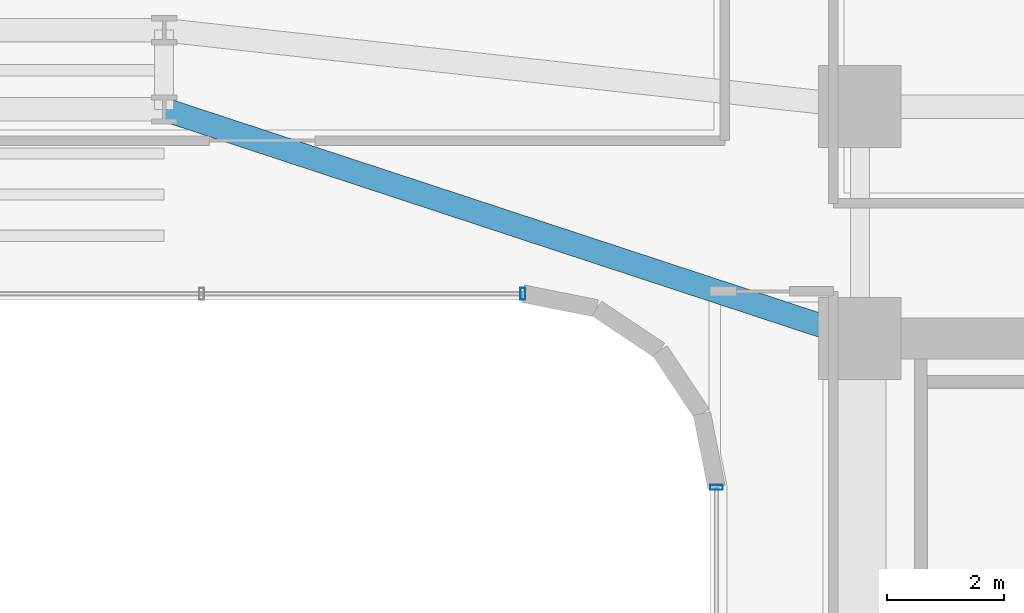
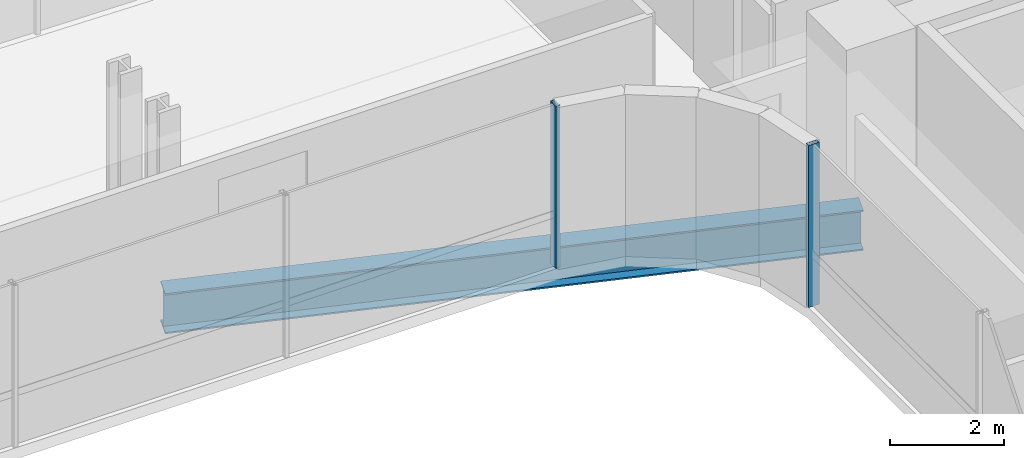
# One storey, part 16 of 41: 2 members, 1 beam, 2 elements without a shape of their own.
"""IFC4 building model written with IfcOpenShell, lengths in metres."""

import ifcopenshell
import ifcopenshell.guid

model = None  # the IFC model being written
_history = None  # IfcOwnerHistory: only IFC2X3 demands one
_inside = {}  # id of a spatial element -> (the spatial element, [elements in it])
_under = {}  # id of a project, library or spatial element -> (it, [spatial elements below it])
_declared = {}  # id of a project -> (the project, [libraries it declares])
_typed = {}  # id of a type object -> (the type object, [elements of that type])
_made_of = {}  # id of a material, layer set ... -> (it, [elements and type objects made of it])


def new_model(schema):
    """Start an empty IFC model of exactly this schema.

    Asked for "IFC4X3", IfcOpenShell would pick the latest addendum, in which some entities
    have other attributes; the version numbers below select the first issue.
    IFC2X3 requires an IfcOwnerHistory on every rooted entity: one is made here for all.
    """
    global model, _history
    if schema == "IFC4X3":
        model = ifcopenshell.file(schema_version=(4, 3, 0, 0))
    else:
        model = ifcopenshell.file(schema=schema)
    _inside.clear()
    _under.clear()
    _declared.clear()
    _typed.clear()
    _made_of.clear()
    _history = None
    if model.schema == "IFC2X3":
        org = make("IfcOrganization", Name="unknown")
        user = make(
            "IfcPersonAndOrganization",
            ThePerson=make("IfcPerson", FamilyName="unknown"),
            TheOrganization=org,
        )
        app = make(
            "IfcApplication",
            ApplicationDeveloper=org,
            Version="unknown",
            ApplicationFullName="unknown",
            ApplicationIdentifier="unknown",
        )
        _history = make(
            "IfcOwnerHistory",
            OwningUser=user,
            OwningApplication=app,
            ChangeAction="ADDED",
            CreationDate=0,
        )
    return model


def make(cls, **values):
    """One entity of the class cls with the attributes given. An attribute that is None is left unset."""
    return model.create_entity(
        cls, **{name: value for name, value in values.items() if value is not None}
    )


def rooted(cls, **values):
    """An entity with a GlobalId (a new one), such as an element, a storey or a relation."""
    return make(cls, GlobalId=ifcopenshell.guid.new(), OwnerHistory=_history, **values)


def si_unit(unit_type, name, prefix=None):
    """IfcSIUnit, for example si_unit("LENGTHUNIT", "METRE", prefix="MILLI")."""
    return make("IfcSIUnit", UnitType=unit_type, Prefix=prefix, Name=name)


def assignment(units):
    """IfcUnitAssignment: the units of a project."""
    return None if units is None else make("IfcUnitAssignment", Units=units)


def point(xyz):
    """IfcCartesianPoint."""
    return None if xyz is None else make("IfcCartesianPoint", Coordinates=xyz)


def direction(xyz):
    """IfcDirection."""
    return None if xyz is None else make("IfcDirection", DirectionRatios=xyz)


def frame(location, z_axis=None, x_axis=None):
    """IfcAxis2Placement3D, a coordinate frame: its origin and axes. An axis left out is left unset."""
    return make(
        "IfcAxis2Placement3D",
        Location=point(location),
        Axis=direction(z_axis),
        RefDirection=direction(x_axis),
    )


def frame_2d(location, x_axis=None):
    """IfcAxis2Placement2D, a coordinate frame in the plane: its origin and x axis."""
    return make(
        "IfcAxis2Placement2D", Location=point(location), RefDirection=direction(x_axis)
    )


def origin():
    """The frame at (0, 0, 0) with its axes left unset."""
    return frame((0.0, 0.0, 0.0))


def origin_2d():
    """The frame at (0, 0) in the plane with its x axis left unset."""
    return frame_2d((0.0, 0.0))


def place(relative_to, where):
    """IfcLocalPlacement: puts the frame where relative to a parent placement (None: the world)."""
    return make(
        "IfcLocalPlacement", PlacementRelTo=relative_to, RelativePlacement=where
    )


def context(
    kind, dimensions, precision=None, world=None, true_north=None, identifier=None
):
    """IfcGeometricRepresentationContext, for example the 3D "Model" context."""
    return make(
        "IfcGeometricRepresentationContext",
        ContextIdentifier=identifier,
        ContextType=kind,
        CoordinateSpaceDimension=dimensions,
        Precision=precision,
        WorldCoordinateSystem=world,
        TrueNorth=true_north,
    )


def subcontext(parent, identifier, kind, view, scale=None):
    """IfcGeometricRepresentationSubContext, for example "Body" below "Model"."""
    return make(
        "IfcGeometricRepresentationSubContext",
        ContextIdentifier=identifier,
        ContextType=kind,
        ParentContext=parent,
        TargetScale=scale,
        TargetView=view,
    )


def project(units=None, contexts=None):
    """IfcProject with its units and contexts."""
    return rooted(
        "IfcProject",
        Name="project",
        RepresentationContexts=contexts,
        UnitsInContext=assignment(units),
    )


def spatial(cls, under=None, at=None, **own):
    """A site, building, storey or space (cls), placed at a placement, below another one or the project."""
    s = rooted(cls, ObjectPlacement=at, **own)
    if under is not None:
        _under.setdefault(under.id(), (under, []))[1].append(s)
    return s


def profile(cls, at=None, kind="AREA", **sizes):
    """A parametric profile (cls). Its sizes go by their IFC names, for example OverallWidth=200.0."""
    return make(cls, ProfileType=kind, Position=at, **sizes)


def hollow_rectangle(**sizes):
    """IfcRectangleHollowProfileDef."""
    return profile("IfcRectangleHollowProfileDef", **sizes)


def i_section(**sizes):
    """IfcIShapeProfileDef."""
    return profile("IfcIShapeProfileDef", **sizes)


def extrude(swept, where, along, depth):
    """IfcExtrudedAreaSolid: the profile swept, set in the frame where, extruded along a direction by depth."""
    return make(
        "IfcExtrudedAreaSolid",
        SweptArea=swept,
        Position=where,
        ExtrudedDirection=direction(along),
        Depth=depth,
    )


def shape(context_of_items, identifier, shape_type, items):
    """IfcShapeRepresentation: the items that make up one representation, for example the "Body"."""
    return make(
        "IfcShapeRepresentation",
        ContextOfItems=context_of_items,
        RepresentationIdentifier=identifier,
        RepresentationType=shape_type,
        Items=items,
    )


def source(mapping_origin, context_of_items, identifier, shape_type, items):
    """IfcRepresentationMap: a shape defined once, which mapped items show again and again."""
    return make(
        "IfcRepresentationMap",
        MappingOrigin=mapping_origin,
        MappedRepresentation=shape(context_of_items, identifier, shape_type, items),
    )


def transform(
    local_origin,
    x_axis=None,
    y_axis=None,
    z_axis=None,
    scale=None,
    scale2=None,
    scale3=None,
    uniform=True,
):
    """IfcCartesianTransformationOperator3D, or its non-uniform kind. x_axis, y_axis, z_axis: its Axis1, 2, 3."""
    if uniform:
        return make(
            "IfcCartesianTransformationOperator3D",
            Axis1=direction(x_axis),
            Axis2=direction(y_axis),
            LocalOrigin=point(local_origin),
            Scale=scale,
            Axis3=direction(z_axis),
        )
    return make(
        "IfcCartesianTransformationOperator3DnonUniform",
        Axis1=direction(x_axis),
        Axis2=direction(y_axis),
        LocalOrigin=point(local_origin),
        Scale=scale,
        Axis3=direction(z_axis),
        Scale2=scale2,
        Scale3=scale3,
    )


def mapped(mapping_source, mapping_target):
    """IfcMappedItem: shows the shape of a source again, moved by a transform."""
    return make(
        "IfcMappedItem", MappingSource=mapping_source, MappingTarget=mapping_target
    )


def material(Name=None, Category=None):
    """IfcMaterial."""
    return make("IfcMaterial", Name=Name, Category=Category)


def material_profile(
    of_material, cross_section, Name=None, Category=None, Priority=None
):
    """IfcMaterialProfile: a cross section and its material."""
    return make(
        "IfcMaterialProfile",
        Name=Name,
        Material=of_material,
        Profile=cross_section,
        Priority=Priority,
        Category=Category,
    )


def profile_set(profiles, Name=None, composite=None):
    """IfcMaterialProfileSet."""
    return make(
        "IfcMaterialProfileSet",
        Name=Name,
        MaterialProfiles=profiles,
        CompositeProfile=composite,
    )


def made_of(thing, what):
    """Note that an element or type object is made of a material, layer set ...; save() writes the relation."""
    if what is not None:
        _made_of.setdefault(what.id(), (what, []))[1].append(thing)
    return thing


def type_object(cls, material=None, **own):
    """A type object (cls), such as IfcWallType, which elements share."""
    return made_of(rooted(cls, **own), material)


def element(
    cls,
    number,
    at=None,
    inside=None,
    cuts=None,
    type_object=None,
    material=None,
    context=None,
    identifier="Body",
    shape_type=None,
    held_by="IfcProductDefinitionShape",
    body=None,
    shapes=None,
    **own,
):
    """One element of the class cls, such as IfcWall. Its Tag is "e" and its number.

    at: its placement. inside: the storey or other place that contains it. cuts: it is an
    opening in that element (IfcRelVoidsElement). A single representation is given by context,
    identifier, shape_type and body (its items); several are given by shapes. held_by: the class
    of the entity that holds the representations. save() writes the other relations.
    """
    e = rooted(cls, Tag="e%d" % number, ObjectPlacement=at, **own)
    if body is not None:
        shapes = [shape(context, identifier, shape_type, body)]
    if shapes is not None:
        e.Representation = make(held_by, Representations=shapes)
    if inside is not None:
        _inside.setdefault(inside.id(), (inside, []))[1].append(e)
    if cuts is not None:
        rooted(
            "IfcRelVoidsElement", RelatingBuildingElement=cuts, RelatedOpeningElement=e
        )
    if type_object is not None:
        _typed.setdefault(type_object.id(), (type_object, []))[1].append(e)
    return made_of(e, material)


def aggregate(whole, parts):
    """IfcRelAggregates: a whole, such as a stair, and the parts it consists of."""
    return rooted("IfcRelAggregates", RelatingObject=whole, RelatedObjects=parts)


def save(model, path):
    """Write the relations noted so far, then the file.

    IfcRelAggregates (storeys below a building ...), IfcRelContainedInSpatialStructure (elements
    in a storey), IfcRelDefinesByType, IfcRelAssociatesMaterial and IfcRelDeclares: one each for
    every whole, place, type object, material and project.
    """
    for whole, parts in _under.values():
        aggregate(whole, parts)
    for where, things in _inside.values():
        rooted(
            "IfcRelContainedInSpatialStructure",
            RelatedElements=things,
            RelatingStructure=where,
        )
    for kind, things in _typed.values():
        rooted("IfcRelDefinesByType", RelatedObjects=things, RelatingType=kind)
    for what, things in _made_of.values():
        rooted("IfcRelAssociatesMaterial", RelatedObjects=things, RelatingMaterial=what)
    for by, libraries in _declared.values():
        rooted("IfcRelDeclares", RelatingContext=by, RelatedDefinitions=libraries)
    model.write(path)


model = new_model("IFC4")

# Units and contexts
model_context = context("Model", 3, precision=1e-05, world=origin(), true_north=direction((0.0, 1.0)))
body_context = subcontext(model_context, "Body", "Model", "MODEL_VIEW")
ifc_project = project(units=[si_unit("LENGTHUNIT", "METRE"), si_unit("AREAUNIT", "SQUARE_METRE"), si_unit("VOLUMEUNIT", "CUBIC_METRE"), si_unit("PLANEANGLEUNIT", "RADIAN"), si_unit("MASSUNIT", "GRAM", prefix="KILO")], contexts=[model_context])

# Site, building, storey
site_placement = place(None, origin())
site = spatial("IfcSite", under=ifc_project, at=site_placement, CompositionType="ELEMENT")
building_placement = place(site_placement, origin())
building = spatial("IfcBuilding", under=site, at=building_placement, Name="Valdorenza Pilgrim Sanctuary Tower", CompositionType="ELEMENT")
storey_placement = place(building_placement, frame((0.0, 0.0, 63.0)))
storey = spatial("IfcBuildingStorey", under=building, at=storey_placement, Name="L15", CompositionType="ELEMENT", Elevation=63.0)

# Beam
ifc_material_1 = material(Name="Steel ASTM A992 Grade 50", Category="steel")
ifc_material_profile_1 = material_profile(ifc_material_1, i_section(OverallWidth=0.39990234375, OverallDepth=0.862060546875, WebThickness=0.019775390625, FlangeThickness=0.032470703125, at=origin_2d()), Name="W33X221")
ifc_profile_set_1 = profile_set([ifc_material_profile_1], Name="Steel ASTM A992 Grade 50")
beam_type = type_object("IfcBeamType", Name="STR-BM-GRD-W33", PredefinedType="BEAM", material=ifc_profile_set_1)
shared_shape_1 = source(origin(), body_context, "Body", "SweptSolid", [
    extrude(i_section(OverallWidth=0.39990234375, OverallDepth=0.862060546875, WebThickness=0.019775390625, FlangeThickness=0.032470703125, at=origin_2d()), origin(), (0.0, 0.0, 1.0), 12.475341796875),
])
beam_placement = place(storey_placement, frame((4.0, 13.449951171875, -0.6708984375), z_axis=(0.949881908141, -0.312608957943, 0.0), x_axis=(0.312608957943, 0.949881908141, 0.0)))
element("IfcBeam", 1, at=beam_placement, inside=storey, type_object=beam_type, Name="L15 Floor Girder KNK-G3", PredefinedType="BEAM", context=body_context, shape_type="MappedRepresentation", body=[
    mapped(shared_shape_1, transform((0.0, 0.0, 0.0), x_axis=(1.0, 0.0, 0.0), y_axis=(0.0, 1.0, 0.0), z_axis=(0.0, 0.0, 1.0), scale=1.0)),
])

# Curtain wall, member
ifc_material_2 = material(Name="Curtain-wall IGU glazing", Category="glass")
curtain_wall_type_1 = type_object("IfcCurtainWallType", Name="CW-SYS-02", PredefinedType="NOTDEFINED", material=ifc_material_2)
curtain_wall_1_placement = place(storey_placement, origin())
curtain_wall_1 = element("IfcCurtainWall", 2, at=curtain_wall_1_placement, inside=storey, type_object=curtain_wall_type_1, Name="L15 Curtain Wall CW-L15-1-36", PredefinedType="NOTDEFINED")
ifc_material_3 = material(Name="Anodised aluminium AW-6060", Category="aluminium")
ifc_material_profile_2 = material_profile(ifc_material_3, hollow_rectangle(XDim=0.0849609375, YDim=0.199951171875, WallThickness=0.0048828125, at=origin_2d()), Name="ALU-M 200x85x5")
ifc_profile_set_2 = profile_set([ifc_material_profile_2], Name="Anodised aluminium AW-6060")
member_type_1 = type_object("IfcMemberType", Name="CW-MUL-02", PredefinedType="MULLION", material=ifc_profile_set_2)
shared_shape_2 = source(origin(), body_context, "Body", "SweptSolid", [
    extrude(hollow_rectangle(XDim=0.0849609375, YDim=0.199951171875, WallThickness=0.0048828125, at=origin_2d()), origin(), (0.0, 0.0, 1.0), 3.4599609375),
])
member_1_placement = place(storey_placement, frame((10.11083984375, 10.31005859375, 0.0), z_axis=(0.0, 0.0, 1.0), x_axis=(-1.0, 0.0, 0.0)))
member_1 = element("IfcMember", 3, at=member_1_placement, type_object=member_type_1, Name="CW-L15-1-36 Mullion 1", PredefinedType="MULLION", context=body_context, shape_type="MappedRepresentation", body=[
    mapped(shared_shape_2, transform((0.0, 0.0, 0.0), x_axis=(1.0, 0.0, 0.0), y_axis=(0.0, 1.0, 0.0), z_axis=(0.0, 0.0, 1.0), scale=1.0)),
])
aggregate(curtain_wall_1, [member_1])

curtain_wall_type_2 = type_object("IfcCurtainWallType", Name="CW-SYS-03", PredefinedType="NOTDEFINED", material=ifc_material_2)
curtain_wall_2_placement = place(storey_placement, origin())
curtain_wall_2 = element("IfcCurtainWall", 4, at=curtain_wall_2_placement, inside=storey, type_object=curtain_wall_type_2, Name="L15 Curtain Wall CW-L15-1-31", PredefinedType="NOTDEFINED")
ifc_material_profile_3 = material_profile(ifc_material_3, hollow_rectangle(XDim=0.0849609375, YDim=0.219970703125, WallThickness=0.0048828125, at=origin_2d()), Name="ALU-M 220x85x5")
ifc_profile_set_3 = profile_set([ifc_material_profile_3], Name="Anodised aluminium AW-6060")
member_type_2 = type_object("IfcMemberType", Name="CW-MUL-03", PredefinedType="MULLION", material=ifc_profile_set_3)
shared_shape_3 = source(origin(), body_context, "Body", "SweptSolid", [
    extrude(hollow_rectangle(XDim=0.0849609375, YDim=0.219970703125, WallThickness=0.0048828125, at=origin_2d()), origin(), (0.0, 0.0, 1.0), 3.4599609375),
])
member_2_placement = place(storey_placement, frame((13.409912109375, 7.0107421875, 0.0), z_axis=(0.0, 0.0, 1.0), x_axis=(0.0, 1.0, 0.0)))
member_2 = element("IfcMember", 5, at=member_2_placement, type_object=member_type_2, Name="CW-L15-1-31 Mullion 4", PredefinedType="MULLION", context=body_context, shape_type="MappedRepresentation", body=[
    mapped(shared_shape_3, transform((0.0, 0.0, 0.0), x_axis=(1.0, 0.0, 0.0), y_axis=(0.0, 1.0, 0.0), z_axis=(0.0, 0.0, 1.0), scale=1.0)),
])
aggregate(curtain_wall_2, [member_2])

save(model, "model.ifc")
